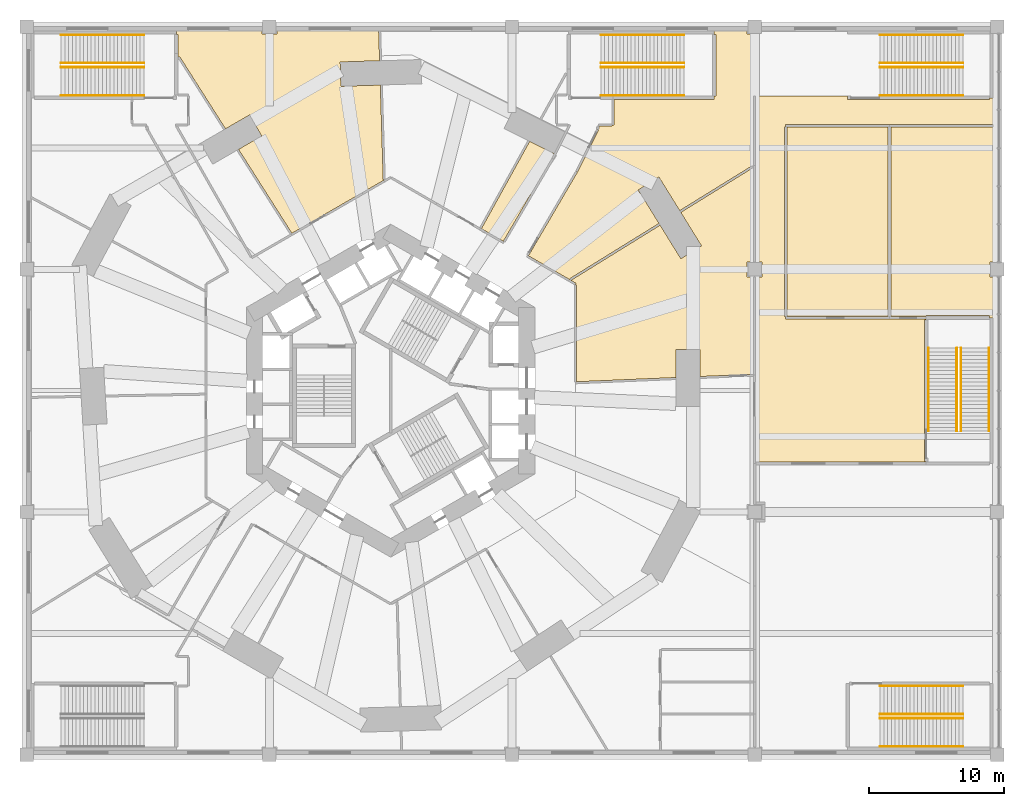
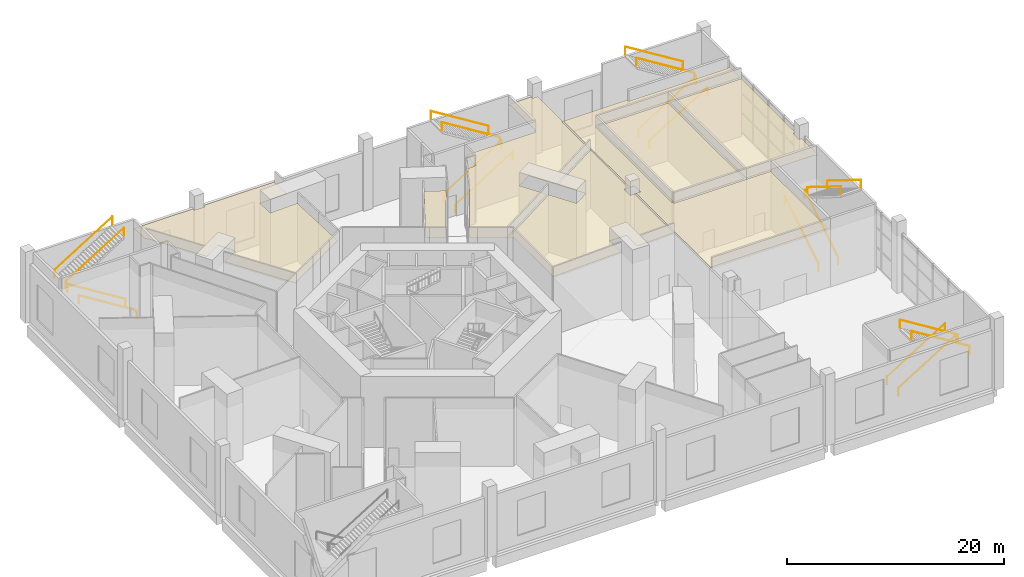
# One storey, part 15 of 15: 20 railings, 7 coverings.
"""IFC4 building model written with IfcOpenShell, lengths in metres."""

from ifc_helpers import new_model, si_unit, direction, frame, origin, origin_2d, place, context, subcontext, project, spatial, polyline, circle, outline, extrude, material, layer, layer_set, type_object, element, save


model = new_model("IFC4")

# Units and contexts
model_context = context("Model", 3, precision=1e-05, world=origin(), true_north=direction((0.0, 1.0)))
body_context = subcontext(model_context, "Body", "Model", "MODEL_VIEW")
ifc_project = project(units=[si_unit("LENGTHUNIT", "METRE"), si_unit("AREAUNIT", "SQUARE_METRE"), si_unit("VOLUMEUNIT", "CUBIC_METRE"), si_unit("PLANEANGLEUNIT", "RADIAN"), si_unit("MASSUNIT", "GRAM", prefix="KILO")], contexts=[model_context])

# Site, building, storey
site_placement = place(None, origin())
site = spatial("IfcSite", under=ifc_project, at=site_placement, CompositionType="ELEMENT")
building_placement = place(site_placement, origin())
building = spatial("IfcBuilding", under=site, at=building_placement, Name="Vanh Sen Convention Tower", CompositionType="ELEMENT")
storey_placement = place(building_placement, frame((0.0, 0.0, 21.0)))
storey = spatial("IfcBuildingStorey", under=building, at=storey_placement, Name="L03", CompositionType="ELEMENT", Elevation=21.0)

# Railings
ifc_material_1 = material(Name="Stainless steel", Category="steel")
railing_type = type_object("IfcRailingType", Name="Podium handrail 900", PredefinedType="HANDRAIL", material=ifc_material_1)
for number, where, name in (
    (1, (36.300048828125, 21.89990234375, 0.173828125), "Handrail PS1 L03"),
    (2, (36.300048828125, 24.0, 0.173828125), "Handrail PS1 L03"),
):
    element("IfcRailing", number, at=place(storey_placement, frame(where)), inside=storey, type_object=railing_type, Name=name, PredefinedType="HANDRAIL", context=body_context, shape_type="SweptSolid", body=[
        extrude(circle(Radius=0.02392578125, at=origin_2d()), frame((0.0, 0.0, 0.8759765625), z_axis=(0.849468459523, 0.0, 0.527639399851), x_axis=(0.0, 1.0, 0.0)), (0.0, 0.0, 1.0), 7.25146484375),
        extrude(circle(Radius=0.02099609375, at=origin_2d()), origin(), (0.0, 0.0, 1.0), 0.851806640625),
        extrude(circle(Radius=0.02099609375, at=origin_2d()), frame((6.159912109375, 0.0, 3.826171875)), (0.0, 0.0, 1.0), 0.851806640625),
    ])
for number, where, name in (
    (3, (42.4599609375, 26.39990234375, 4.173828125), "Handrail PS1 L03"),
    (4, (42.4599609375, 24.300048828125, 4.173828125), "Handrail PS1 L03"),
):
    element("IfcRailing", number, at=place(storey_placement, frame(where)), inside=storey, type_object=railing_type, Name=name, PredefinedType="HANDRAIL", context=body_context, shape_type="SweptSolid", body=[
        extrude(circle(Radius=0.02392578125, at=origin_2d()), frame((0.0, 0.0, 0.8759765625), z_axis=(-0.849468459523, 0.0, 0.527639399851), x_axis=(0.0, -1.0, 0.0)), (0.0, 0.0, 1.0), 7.25146484375),
        extrude(circle(Radius=0.02099609375, at=origin_2d()), origin(), (0.0, 0.0, 1.0), 0.851806640625),
        extrude(circle(Radius=0.02099609375, at=origin_2d()), frame((-6.159912109375, 0.0, 3.826171875)), (0.0, 0.0, 1.0), 0.851806640625),
    ])
for number, where, name in (
    (5, (36.300048828125, -21.89990234375, 0.173828125), "Handrail PS2 L03"),
    (6, (36.300048828125, -24.0, 0.173828125), "Handrail PS2 L03"),
):
    element("IfcRailing", number, at=place(storey_placement, frame(where)), inside=storey, type_object=railing_type, Name=name, PredefinedType="HANDRAIL", context=body_context, shape_type="SweptSolid", body=[
        extrude(circle(Radius=0.02392578125, at=origin_2d()), frame((0.0, 0.0, 0.8759765625), z_axis=(0.849468459523, 0.0, 0.527639399851), x_axis=(0.0, 1.0, 0.0)), (0.0, 0.0, 1.0), 7.25146484375),
        extrude(circle(Radius=0.02099609375, at=origin_2d()), origin(), (0.0, 0.0, 1.0), 0.851806640625),
        extrude(circle(Radius=0.02099609375, at=origin_2d()), frame((6.159912109375, 0.0, 3.826171875)), (0.0, 0.0, 1.0), 0.851806640625),
    ])
for number, where, name in (
    (7, (42.4599609375, -26.39990234375, 4.173828125), "Handrail PS2 L03"),
    (8, (42.4599609375, -24.300048828125, 4.173828125), "Handrail PS2 L03"),
):
    element("IfcRailing", number, at=place(storey_placement, frame(where)), inside=storey, type_object=railing_type, Name=name, PredefinedType="HANDRAIL", context=body_context, shape_type="SweptSolid", body=[
        extrude(circle(Radius=0.02392578125, at=origin_2d()), frame((0.0, 0.0, 0.8759765625), z_axis=(-0.849468459523, 0.0, 0.527639399851), x_axis=(0.0, -1.0, 0.0)), (0.0, 0.0, 1.0), 7.25146484375),
        extrude(circle(Radius=0.02099609375, at=origin_2d()), origin(), (0.0, 0.0, 1.0), 0.851806640625),
        extrude(circle(Radius=0.02099609375, at=origin_2d()), frame((-6.159912109375, 0.0, 3.826171875)), (0.0, 0.0, 1.0), 0.851806640625),
    ])
for number, where, name in (
    (9, (39.89990234375, -3.0, 0.173828125), "Handrail PS3 L03"),
    (10, (42.0, -3.0, 0.173828125), "Handrail PS3 L03"),
):
    element("IfcRailing", number, at=place(storey_placement, frame(where)), inside=storey, type_object=railing_type, Name=name, PredefinedType="HANDRAIL", context=body_context, shape_type="SweptSolid", body=[
        extrude(circle(Radius=0.02392578125, at=origin_2d()), frame((0.0, 0.0, 0.8759765625), z_axis=(0.0, 0.849468459523, 0.527639399851), x_axis=(-1.0, 0.0, 0.0)), (0.0, 0.0, 1.0), 7.25146484375),
        extrude(circle(Radius=0.02099609375, at=origin_2d()), origin(), (0.0, 0.0, 1.0), 0.851806640625),
        extrude(circle(Radius=0.02099609375, at=origin_2d()), frame((0.0, 6.159912109375, 3.826171875)), (0.0, 0.0, 1.0), 0.851806640625),
    ])
for number, where, name in (
    (11, (44.39990234375, 3.159912109375, 4.173828125), "Handrail PS3 L03"),
    (12, (42.300048828125, 3.159912109375, 4.173828125), "Handrail PS3 L03"),
):
    element("IfcRailing", number, at=place(storey_placement, frame(where)), inside=storey, type_object=railing_type, Name=name, PredefinedType="HANDRAIL", context=body_context, shape_type="SweptSolid", body=[
        extrude(circle(Radius=0.02392578125, at=origin_2d()), frame((0.0, 0.0, 0.8759765625), z_axis=(0.0, -0.849468459523, 0.527639399851), x_axis=(1.0, 0.0, 0.0)), (0.0, 0.0, 1.0), 7.25146484375),
        extrude(circle(Radius=0.02099609375, at=origin_2d()), origin(), (0.0, 0.0, 1.0), 0.851806640625),
        extrude(circle(Radius=0.02099609375, at=origin_2d()), frame((0.0, -6.159912109375, 3.826171875)), (0.0, 0.0, 1.0), 0.851806640625),
    ])
for number, where, name in (
    (13, (15.60009765625, 21.89990234375, 0.173828125), "Handrail PS4 L03"),
    (14, (15.60009765625, 24.0, 0.173828125), "Handrail PS4 L03"),
):
    element("IfcRailing", number, at=place(storey_placement, frame(where)), inside=storey, type_object=railing_type, Name=name, PredefinedType="HANDRAIL", context=body_context, shape_type="SweptSolid", body=[
        extrude(circle(Radius=0.02392578125, at=origin_2d()), frame((0.0, 0.0, 0.8759765625), z_axis=(0.849468459523, 0.0, 0.527639399851), x_axis=(0.0, 1.0, 0.0)), (0.0, 0.0, 1.0), 7.25146484375),
        extrude(circle(Radius=0.02099609375, at=origin_2d()), origin(), (0.0, 0.0, 1.0), 0.851806640625),
        extrude(circle(Radius=0.02099609375, at=origin_2d()), frame((6.159912109375, 0.0, 3.826171875)), (0.0, 0.0, 1.0), 0.851806640625),
    ])
for number, where, name in (
    (15, (21.760009765625, 26.39990234375, 4.173828125), "Handrail PS4 L03"),
    (16, (21.760009765625, 24.300048828125, 4.173828125), "Handrail PS4 L03"),
    (17, (-18.300048828125, 21.89990234375, 0.173828125), "Handrail PS5 L03"),
    (18, (-18.300048828125, 24.0, 0.173828125), "Handrail PS5 L03"),
):
    element("IfcRailing", number, at=place(storey_placement, frame(where)), inside=storey, type_object=railing_type, Name=name, PredefinedType="HANDRAIL", context=body_context, shape_type="SweptSolid", body=[
        extrude(circle(Radius=0.02392578125, at=origin_2d()), frame((0.0, 0.0, 0.8759765625), z_axis=(-0.849468459523, 0.0, 0.527639399851), x_axis=(0.0, -1.0, 0.0)), (0.0, 0.0, 1.0), 7.25146484375),
        extrude(circle(Radius=0.02099609375, at=origin_2d()), origin(), (0.0, 0.0, 1.0), 0.851806640625),
        extrude(circle(Radius=0.02099609375, at=origin_2d()), frame((-6.159912109375, 0.0, 3.826171875)), (0.0, 0.0, 1.0), 0.851806640625),
    ])
for number, where, name in (
    (19, (-24.4599609375, 26.39990234375, 4.173828125), "Handrail PS5 L03"),
    (20, (-24.4599609375, 24.300048828125, 4.173828125), "Handrail PS5 L03"),
):
    element("IfcRailing", number, at=place(storey_placement, frame(where)), inside=storey, type_object=railing_type, Name=name, PredefinedType="HANDRAIL", context=body_context, shape_type="SweptSolid", body=[
        extrude(circle(Radius=0.02392578125, at=origin_2d()), frame((0.0, 0.0, 0.8759765625), z_axis=(0.849468459523, 0.0, 0.527639399851), x_axis=(0.0, 1.0, 0.0)), (0.0, 0.0, 1.0), 7.25146484375),
        extrude(circle(Radius=0.02099609375, at=origin_2d()), origin(), (0.0, 0.0, 1.0), 0.851806640625),
        extrude(circle(Radius=0.02099609375, at=origin_2d()), frame((6.159912109375, 0.0, 3.826171875)), (0.0, 0.0, 1.0), 0.851806640625),
    ])

# Coverings
ifc_material_2 = material(Name="Mineral fibre tiles in a concealed grid")
ifc_layer = layer(ifc_material_2, 0.0400390625)
ifc_layer_set = layer_set([ifc_layer], Name="Mineral fibre tiles in a concealed grid")
covering_type = type_object("IfcCoveringType", Name="Suspended ceiling 600 x 600 tile", PredefinedType="CEILING", material=ifc_layer_set)
covering_1_placement = place(storey_placement, frame((0.0, 0.0, 6.4599609375)))
element("IfcCovering", 21, at=covering_1_placement, inside=storey, type_object=covering_type, Name="Suspended ceiling CL3 Pre-function foyer", PredefinedType="CEILING", context=body_context, shape_type="SweptSolid", body=[
    extrude(outline(polyline([(33.89990234375, 21.85009765625), (29.300048828125, 21.85009765625), (27.074951171875, 21.85009765625), (27.074951171875, 16.7080078125), (27.074951171875, 9.550048828125), (27.550048828125, 9.550048828125), (27.550048828125, 8.449951171875), (27.074951171875, 8.449951171875), (27.074951171875, 1.1474609375), (27.074951171875, -5.39990234375), (27.10009765625, -5.39990234375), (27.10009765625, -5.300048828125), (39.72509765625, -5.300048828125), (39.72509765625, -5.27490234375), (39.72509765625, -5.260009765625), (39.60009765625, -5.260009765625), (39.60009765625, 5.260009765625), (39.72509765625, 5.260009765625), (39.72509765625, 5.27490234375), (39.72509765625, 5.300048828125), (37.0, 5.300048828125), (29.300048828125, 5.300048828125), (29.300048828125, 5.39990234375), (29.300048828125, 5.5), (29.199951171875, 5.5), (29.199951171875, 19.550048828125), (29.300048828125, 19.550048828125), (29.300048828125, 19.64990234375), (29.300048828125, 19.75), (37.0, 19.75), (44.699951171875, 19.75), (44.699951171875, 21.72509765625), (44.43994140625, 21.72509765625), (44.43994140625, 21.60009765625), (33.89990234375, 21.60009765625), (33.89990234375, 21.72509765625), (33.89990234375, 21.85009765625)])), origin(), (0.0, 0.0, 1.0), 0.0400390625),
])
covering_2_placement = place(storey_placement, frame((0.0, 0.0, 6.4599609375)))
element("IfcCovering", 22, at=covering_2_placement, inside=storey, type_object=covering_type, Name="Suspended ceiling CL3 Banquet room", PredefinedType="CEILING", context=body_context, shape_type="SweptSolid", body=[
    extrude(outline(polyline([(36.89990234375, 19.550048828125), (29.39990234375, 19.550048828125), (29.39990234375, 5.5), (36.89990234375, 5.5), (36.89990234375, 19.550048828125)])), origin(), (0.0, 0.0, 1.0), 0.0400390625),
])
covering_3_placement = place(storey_placement, frame((0.0, 0.0, 6.4599609375)))
element("IfcCovering", 23, at=covering_3_placement, inside=storey, type_object=covering_type, Name="Suspended ceiling CL3 Garden lounge", PredefinedType="CEILING", context=body_context, shape_type="SweptSolid", body=[
    extrude(outline(polyline([(44.43994140625, 5.39990234375), (44.699951171875, 5.39990234375), (44.699951171875, 8.449951171875), (44.449951171875, 8.449951171875), (44.449951171875, 9.550048828125), (44.699951171875, 9.550048828125), (44.699951171875, 19.550048828125), (37.10009765625, 19.550048828125), (37.10009765625, 5.5), (39.72509765625, 5.5), (39.72509765625, 5.52490234375), (44.43994140625, 5.52490234375), (44.43994140625, 5.39990234375)])), origin(), (0.0, 0.0, 1.0), 0.0400390625),
])
covering_4_placement = place(storey_placement, frame((0.0, 0.0, 6.4599609375)))
element("IfcCovering", 24, at=covering_4_placement, inside=storey, type_object=covering_type, Name="Suspended ceiling CL3 Meeting suite", PredefinedType="CEILING", context=body_context, shape_type="SweptSolid", body=[
    extrude(outline(polyline([(26.9169921875, 1.218994140625), (26.919921875, 1.14404296875), (26.925048828125, 1.14453125), (26.925048828125, 1.1474609375), (26.925048828125, 8.449951171875), (26.449951171875, 8.449951171875), (26.449951171875, 9.550048828125), (26.925048828125, 9.550048828125), (26.925048828125, 16.66162109375), (26.881103515625, 16.634521484375), (26.92041015625, 16.570556640625), (21.51904296875, 13.228515625), (21.50830078125, 13.24560546875), (23.058349609375, 10.740966796875), (21.527587890625, 9.793701171875), (19.98828125, 12.281005859375), (13.37109375, 8.18603515625), (13.737548828125, 7.974609375), (13.699951171875, 7.909423828125), (13.699951171875, 7.849609375), (13.77490234375, 7.849609375), (13.77490234375, 0.66259765625), (13.699951171875, 0.66259765625), (13.699951171875, 0.657470703125), (21.14697265625, 0.97412109375), (21.14990234375, 0.89892578125), (21.14990234375, 3.037109375), (22.949951171875, 3.037109375), (22.949951171875, 1.050537109375), (26.9169921875, 1.218994140625)])), origin(), (0.0, 0.0, 1.0), 0.0400390625),
])
covering_5_placement = place(storey_placement, frame((0.0, 0.0, 6.4599609375)))
element("IfcCovering", 25, at=covering_5_placement, inside=storey, type_object=covering_type, Name="Suspended ceiling CL3 Meeting suite", PredefinedType="CEILING", context=body_context, shape_type="SweptSolid", body=[
    extrude(outline(polyline([(13.85546875, 16.220458984375), (13.78857421875, 16.25390625), (13.77197265625, 16.22412109375), (13.83642578125, 16.18603515625), (10.218505859375, 10.011474609375), (10.154052734375, 10.049560546875), (10.151611328125, 10.044921875), (10.87109375, 9.62939453125), (13.262451171875, 8.2490234375), (13.297607421875, 8.22900390625), (13.326904296875, 8.2470703125), (13.28759765625, 8.31103515625), (19.9091796875, 12.408935546875), (18.370361328125, 14.89599609375), (19.90087890625, 15.843017578125), (21.43994140625, 13.35595703125), (26.841552734375, 16.697998046875), (26.881103515625, 16.634521484375), (26.925048828125, 16.66162109375), (26.925048828125, 16.7080078125), (26.925048828125, 21.85009765625), (27.0, 21.85009765625), (27.0, 26.449951171875), (26.449951171875, 26.449951171875), (26.449951171875, 26.699951171875), (24.0, 26.699951171875), (24.0, 26.43994140625), (24.125, 26.43994140625), (24.125, 21.864990234375), (24.0, 21.864990234375), (24.0, 21.85009765625), (24.0, 21.72509765625), (24.0, 21.60009765625), (16.5, 21.60009765625), (16.5, 21.5849609375), (16.574951171875, 21.5849609375), (16.574951171875, 19.72509765625), (16.5, 19.72509765625), (16.425048828125, 19.72509765625), (16.419921875, 19.72509765625), (16.419921875, 19.64990234375), (15.39990234375, 19.64990234375), (15.39990234375, 19.60888671875), (15.472900390625, 19.592041015625), (15.419921875, 19.365966796875), (15.346923828125, 19.383056640625), (15.337890625, 19.364990234375), (15.405029296875, 19.33154296875), (13.85546875, 16.220458984375)])), origin(), (0.0, 0.0, 1.0), 0.0400390625),
])
covering_6_placement = place(storey_placement, frame((0.0, 0.0, 6.4599609375)))
element("IfcCovering", 26, at=covering_6_placement, inside=storey, type_object=covering_type, Name="Suspended ceiling CL3 Meeting suite", PredefinedType="CEILING", context=body_context, shape_type="SweptSolid", body=[
    extrude(outline(polyline([(11.95654296875, 17.22900390625), (12.02099609375, 17.19091796875), (12.030029296875, 17.208984375), (11.962890625, 17.242431640625), (12.1328125, 17.583740234375), (10.245361328125, 18.52490234375), (10.306884765625, 18.490478515625), (6.7333984375, 12.02587890625), (6.66748046875, 12.06201171875), (6.66552734375, 12.0576171875), (6.66650390625, 12.056884765625), (7.032470703125, 11.845947265625), (8.4189453125, 11.04541015625), (8.381591796875, 10.98046875), (8.422119140625, 11.049560546875), (8.35693359375, 11.08740234375), (11.95654296875, 17.22900390625)])), origin(), (0.0, 0.0, 1.0), 0.0400390625),
])
covering_7_placement = place(storey_placement, frame((0.0, 0.0, 6.4599609375)))
element("IfcCovering", 27, at=covering_7_placement, inside=storey, type_object=covering_type, Name="Suspended ceiling CL3 Meeting suite", PredefinedType="CEILING", context=body_context, shape_type="SweptSolid", body=[
    extrude(outline(polyline([(-0.512451171875, 15.610107421875), (-0.4775390625, 15.630615234375), (-0.478515625, 15.6650390625), (-0.553466796875, 15.6630859375), (-0.654052734375, 18.943115234375), (-0.76806640625, 22.67529296875), (-3.69140625, 22.5859375), (-3.746337890625, 24.38525390625), (-0.822509765625, 24.474609375), (-0.890380859375, 26.697509765625), (-0.8154296875, 26.699951171875), (-8.449951171875, 26.699951171875), (-8.449951171875, 26.449951171875), (-9.550048828125, 26.449951171875), (-9.550048828125, 26.699951171875), (-15.89990234375, 26.699951171875), (-15.89990234375, 26.43994140625), (-15.77490234375, 26.43994140625), (-15.77490234375, 25.021484375), (-15.77490234375, 24.824951171875), (-15.717529296875, 24.734619140625), (-15.654541015625, 24.77490234375), (-12.256591796875, 19.427490234375), (-12.320068359375, 19.387451171875), (-12.31982421875, 19.387451171875), (-10.468017578125, 20.45654296875), (-9.568115234375, 18.897705078125), (-11.288818359375, 17.904296875), (-7.333984375, 11.680908203125), (-7.3974609375, 11.64111328125), (-7.39501953125, 11.636962890625), (-7.39208984375, 11.638427734375), (-4.722412109375, 13.179443359375), (-3.49755859375, 13.886962890625), (-2.12451171875, 14.679443359375), (-0.512451171875, 15.610107421875)])), origin(), (0.0, 0.0, 1.0), 0.0400390625),
])

save(model, "model.ifc")
